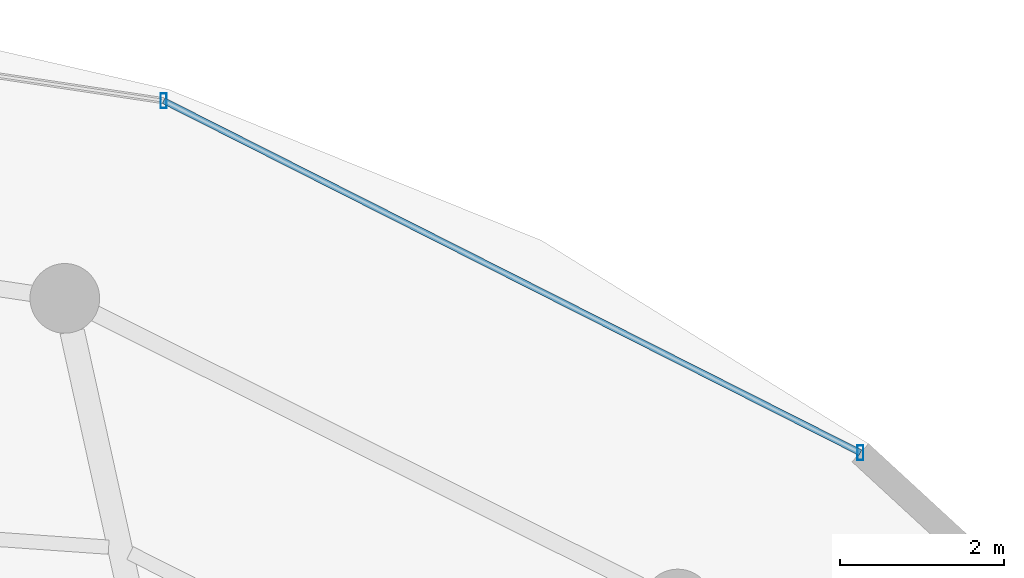
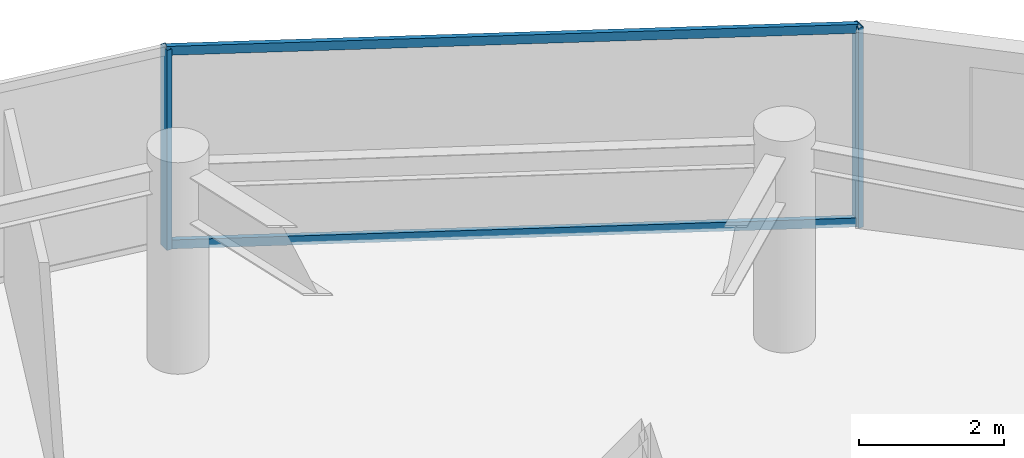
# One storey, part 20 of 30: 4 members, 1 element without a shape of its own.
"""IFC4 building model written with IfcOpenShell, lengths in metres."""

from ifc_helpers import new_model, si_unit, direction, frame, origin, origin_2d, place, context, subcontext, project, spatial, hollow_rectangle, extrude, material, material_profile, profile_set, type_object, element, aggregate, save


model = new_model("IFC4")

# Units and contexts
model_context = context("Model", 3, precision=1e-05, world=origin(), true_north=direction((0.0, 1.0)))
body_context = subcontext(model_context, "Body", "Model", "MODEL_VIEW")
ifc_project = project(units=[si_unit("LENGTHUNIT", "METRE"), si_unit("AREAUNIT", "SQUARE_METRE"), si_unit("VOLUMEUNIT", "CUBIC_METRE"), si_unit("PLANEANGLEUNIT", "RADIAN"), si_unit("MASSUNIT", "GRAM", prefix="KILO")], contexts=[model_context])

# Site, building, storey
site_placement = place(None, origin())
site = spatial("IfcSite", under=ifc_project, at=site_placement, CompositionType="ELEMENT")
building_placement = place(site_placement, origin())
building = spatial("IfcBuilding", under=site, at=building_placement, Name="Vorneva Point Tower", CompositionType="ELEMENT")
storey_placement = place(building_placement, frame((0.0, 0.0, 241.35009765625)))
storey = spatial("IfcBuildingStorey", under=building, at=storey_placement, Name="L65", CompositionType="ELEMENT", Elevation=241.35009765625)

# Curtain wall, members
ifc_material = material(Name="Pale anodised aluminium", Category="aluminium")
curtain_wall_type = type_object("IfcCurtainWallType", Name="CW-RES-SYS", PredefinedType="NOTDEFINED", material=ifc_material)
curtain_wall_placement = place(storey_placement, origin())
curtain_wall = element("IfcCurtainWall", 1, at=curtain_wall_placement, inside=storey, type_object=curtain_wall_type, Name="L65 Unitised Curtain Wall CW-L65-R02", PredefinedType="NOTDEFINED")
ifc_material_profile_1 = material_profile(ifc_material, hollow_rectangle(XDim=0.074951171875, YDim=0.179931640625, WallThickness=0.00390625, at=origin_2d()), Name="AL-MUL 180x75x4")
ifc_profile_set_1 = profile_set([ifc_material_profile_1], Name="Pale anodised aluminium")
member_type_1 = type_object("IfcMemberType", Name="CW-MUL-180", PredefinedType="MULLION", material=ifc_profile_set_1)
member_1_placement = place(storey_placement, frame((56.526123046875, 40.0078125, -0.0400390625), z_axis=(0.0, 0.0, 1.0), x_axis=(1.0, 0.0, 0.0)))
member_1 = element("IfcMember", 2, at=member_1_placement, type_object=member_type_1, Name="CW-L65-R02 Mullion 01", PredefinedType="MULLION", context=body_context, shape_type="SweptSolid", body=[
    extrude(hollow_rectangle(XDim=0.074951171875, YDim=0.179931640625, WallThickness=0.00390625, at=origin_2d()), origin(), (0.0, 0.0, 1.0), 3.35986328125),
])
member_2_placement = place(storey_placement, frame((48.0263671875, 44.302001953125, -0.0400390625), z_axis=(0.0, 0.0, 1.0), x_axis=(1.0, 0.0, 0.0)))
member_2 = element("IfcMember", 3, at=member_2_placement, type_object=member_type_1, Name="CW-L65-R02 Mullion 02", PredefinedType="MULLION", context=body_context, shape_type="SweptSolid", body=[
    extrude(hollow_rectangle(XDim=0.074951171875, YDim=0.179931640625, WallThickness=0.00390625, at=origin_2d()), origin(), (0.0, 0.0, 1.0), 3.35986328125),
])
ifc_material_profile_2 = material_profile(ifc_material, hollow_rectangle(XDim=0.074951171875, YDim=0.14990234375, WallThickness=0.00390625, at=origin_2d()), Name="AL-TRN 150x75x4")
ifc_profile_set_2 = profile_set([ifc_material_profile_2], Name="Pale anodised aluminium")
member_type_2 = type_object("IfcMemberType", Name="CW-TRN-150", PredefinedType="USERDEFINED", material=ifc_profile_set_2)
member_3_placement = place(storey_placement, frame((56.526123046875, 40.0078125, 0.02001953125), z_axis=(-0.892558185815, 0.450932239848, 0.0), x_axis=(-0.450932239848, -0.892558185815, 0.0)))
member_3 = element("IfcMember", 4, at=member_3_placement, type_object=member_type_2, Name="CW-L65-R02 Transom 01.1", ObjectType="TRANSOM", PredefinedType="USERDEFINED", context=body_context, shape_type="SweptSolid", body=[
    extrude(hollow_rectangle(XDim=0.074951171875, YDim=0.14990234375, WallThickness=0.00390625, at=origin_2d()), origin(), (0.0, 0.0, 1.0), 9.52294921875),
])
member_4_placement = place(storey_placement, frame((56.526123046875, 40.0078125, 3.27001953125), z_axis=(-0.892558185815, 0.450932239848, 0.0), x_axis=(-0.450932239848, -0.892558185815, 0.0)))
member_4 = element("IfcMember", 5, at=member_4_placement, type_object=member_type_2, Name="CW-L65-R02 Transom 01.2", ObjectType="TRANSOM", PredefinedType="USERDEFINED", context=body_context, shape_type="SweptSolid", body=[
    extrude(hollow_rectangle(XDim=0.074951171875, YDim=0.14990234375, WallThickness=0.00390625, at=origin_2d()), origin(), (0.0, 0.0, 1.0), 9.52294921875),
])
aggregate(curtain_wall, [member_1, member_2, member_3, member_4])

save(model, "model.ifc")
